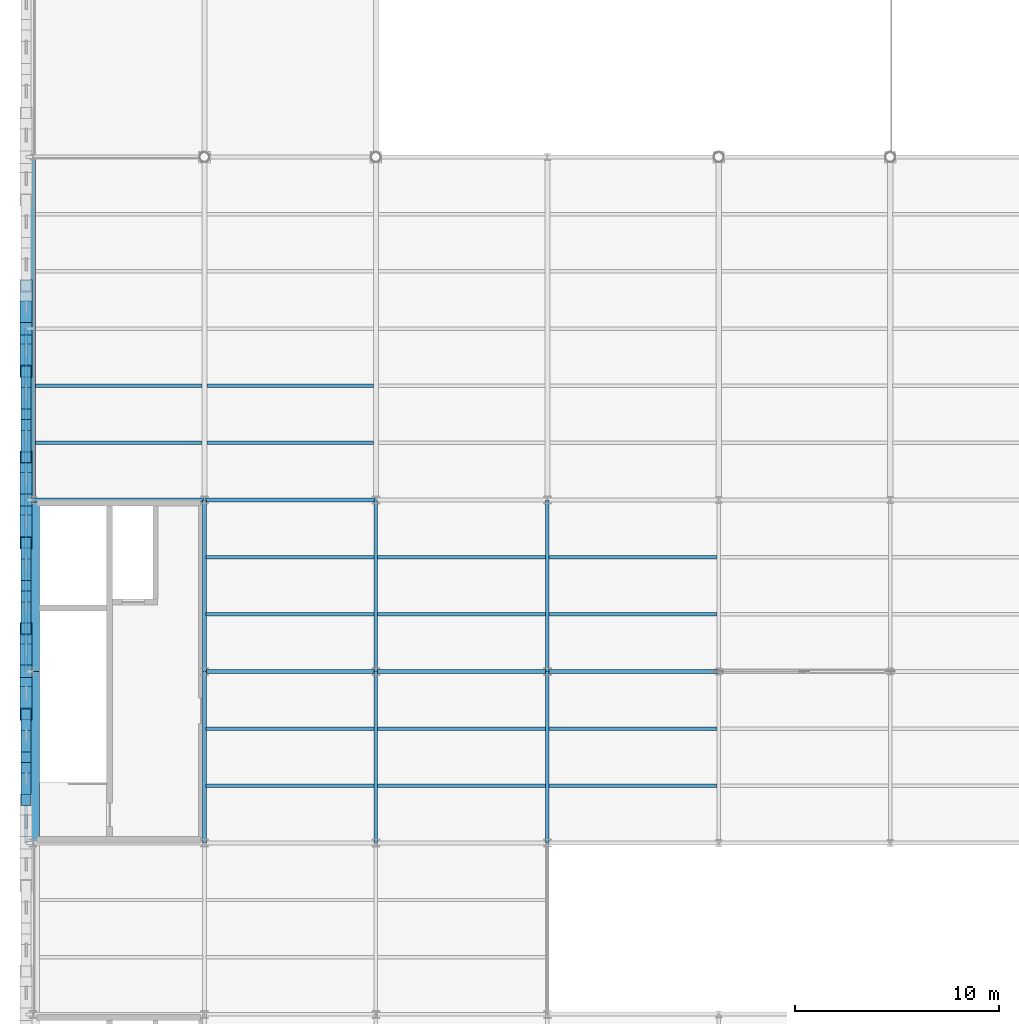
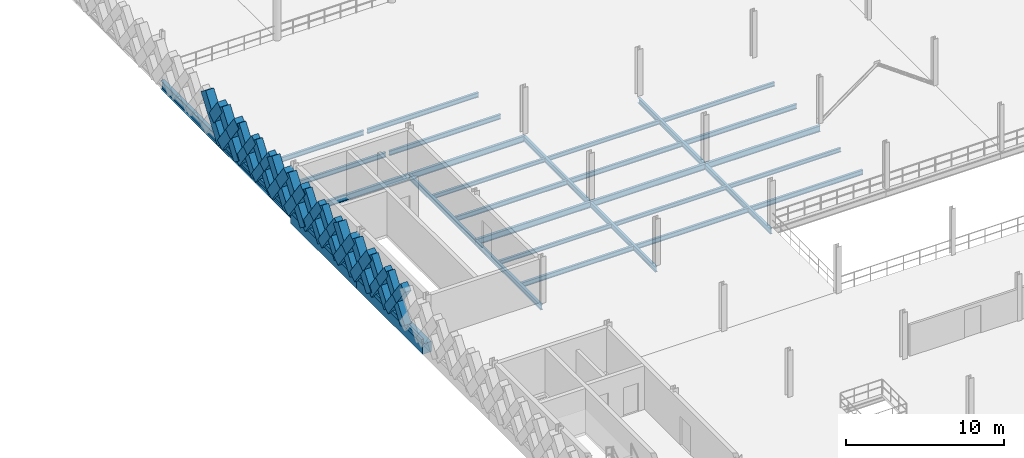
# One storey, part 21 of 47: 38 members, 30 beams.
"""IFC4 building model written with IfcOpenShell, lengths in metres."""

import ifcopenshell
import ifcopenshell.guid

model = None  # the IFC model being written
_history = None  # IfcOwnerHistory: only IFC2X3 demands one
_inside = {}  # id of a spatial element -> (the spatial element, [elements in it])
_under = {}  # id of a project, library or spatial element -> (it, [spatial elements below it])
_declared = {}  # id of a project -> (the project, [libraries it declares])
_typed = {}  # id of a type object -> (the type object, [elements of that type])
_made_of = {}  # id of a material, layer set ... -> (it, [elements and type objects made of it])


def new_model(schema):
    """Start an empty IFC model of exactly this schema.

    Asked for "IFC4X3", IfcOpenShell would pick the latest addendum, in which some entities
    have other attributes; the version numbers below select the first issue.
    IFC2X3 requires an IfcOwnerHistory on every rooted entity: one is made here for all.
    """
    global model, _history
    if schema == "IFC4X3":
        model = ifcopenshell.file(schema_version=(4, 3, 0, 0))
    else:
        model = ifcopenshell.file(schema=schema)
    _inside.clear()
    _under.clear()
    _declared.clear()
    _typed.clear()
    _made_of.clear()
    _history = None
    if model.schema == "IFC2X3":
        org = make("IfcOrganization", Name="unknown")
        user = make(
            "IfcPersonAndOrganization",
            ThePerson=make("IfcPerson", FamilyName="unknown"),
            TheOrganization=org,
        )
        app = make(
            "IfcApplication",
            ApplicationDeveloper=org,
            Version="unknown",
            ApplicationFullName="unknown",
            ApplicationIdentifier="unknown",
        )
        _history = make(
            "IfcOwnerHistory",
            OwningUser=user,
            OwningApplication=app,
            ChangeAction="ADDED",
            CreationDate=0,
        )
    return model


def make(cls, **values):
    """One entity of the class cls with the attributes given. An attribute that is None is left unset."""
    return model.create_entity(
        cls, **{name: value for name, value in values.items() if value is not None}
    )


def rooted(cls, **values):
    """An entity with a GlobalId (a new one), such as an element, a storey or a relation."""
    return make(cls, GlobalId=ifcopenshell.guid.new(), OwnerHistory=_history, **values)


def si_unit(unit_type, name, prefix=None):
    """IfcSIUnit, for example si_unit("LENGTHUNIT", "METRE", prefix="MILLI")."""
    return make("IfcSIUnit", UnitType=unit_type, Prefix=prefix, Name=name)


def assignment(units):
    """IfcUnitAssignment: the units of a project."""
    return None if units is None else make("IfcUnitAssignment", Units=units)


def point(xyz):
    """IfcCartesianPoint."""
    return None if xyz is None else make("IfcCartesianPoint", Coordinates=xyz)


def direction(xyz):
    """IfcDirection."""
    return None if xyz is None else make("IfcDirection", DirectionRatios=xyz)


def frame(location, z_axis=None, x_axis=None):
    """IfcAxis2Placement3D, a coordinate frame: its origin and axes. An axis left out is left unset."""
    return make(
        "IfcAxis2Placement3D",
        Location=point(location),
        Axis=direction(z_axis),
        RefDirection=direction(x_axis),
    )


def frame_2d(location, x_axis=None):
    """IfcAxis2Placement2D, a coordinate frame in the plane: its origin and x axis."""
    return make(
        "IfcAxis2Placement2D", Location=point(location), RefDirection=direction(x_axis)
    )


def origin():
    """The frame at (0, 0, 0) with its axes left unset."""
    return frame((0.0, 0.0, 0.0))


def origin_2d():
    """The frame at (0, 0) in the plane with its x axis left unset."""
    return frame_2d((0.0, 0.0))


def place(relative_to, where):
    """IfcLocalPlacement: puts the frame where relative to a parent placement (None: the world)."""
    return make(
        "IfcLocalPlacement", PlacementRelTo=relative_to, RelativePlacement=where
    )


def context(
    kind, dimensions, precision=None, world=None, true_north=None, identifier=None
):
    """IfcGeometricRepresentationContext, for example the 3D "Model" context."""
    return make(
        "IfcGeometricRepresentationContext",
        ContextIdentifier=identifier,
        ContextType=kind,
        CoordinateSpaceDimension=dimensions,
        Precision=precision,
        WorldCoordinateSystem=world,
        TrueNorth=true_north,
    )


def subcontext(parent, identifier, kind, view, scale=None):
    """IfcGeometricRepresentationSubContext, for example "Body" below "Model"."""
    return make(
        "IfcGeometricRepresentationSubContext",
        ContextIdentifier=identifier,
        ContextType=kind,
        ParentContext=parent,
        TargetScale=scale,
        TargetView=view,
    )


def project(units=None, contexts=None):
    """IfcProject with its units and contexts."""
    return rooted(
        "IfcProject",
        Name="project",
        RepresentationContexts=contexts,
        UnitsInContext=assignment(units),
    )


def spatial(cls, under=None, at=None, **own):
    """A site, building, storey or space (cls), placed at a placement, below another one or the project."""
    s = rooted(cls, ObjectPlacement=at, **own)
    if under is not None:
        _under.setdefault(under.id(), (under, []))[1].append(s)
    return s


def profile(cls, at=None, kind="AREA", **sizes):
    """A parametric profile (cls). Its sizes go by their IFC names, for example OverallWidth=200.0."""
    return make(cls, ProfileType=kind, Position=at, **sizes)


def rectangle(**sizes):
    """IfcRectangleProfileDef."""
    return profile("IfcRectangleProfileDef", **sizes)


def hollow_rectangle(**sizes):
    """IfcRectangleHollowProfileDef."""
    return profile("IfcRectangleHollowProfileDef", **sizes)


def i_section(**sizes):
    """IfcIShapeProfileDef."""
    return profile("IfcIShapeProfileDef", **sizes)


def extrude(swept, where, along, depth):
    """IfcExtrudedAreaSolid: the profile swept, set in the frame where, extruded along a direction by depth."""
    return make(
        "IfcExtrudedAreaSolid",
        SweptArea=swept,
        Position=where,
        ExtrudedDirection=direction(along),
        Depth=depth,
    )


def shape(context_of_items, identifier, shape_type, items):
    """IfcShapeRepresentation: the items that make up one representation, for example the "Body"."""
    return make(
        "IfcShapeRepresentation",
        ContextOfItems=context_of_items,
        RepresentationIdentifier=identifier,
        RepresentationType=shape_type,
        Items=items,
    )


def material(Name=None, Category=None):
    """IfcMaterial."""
    return make("IfcMaterial", Name=Name, Category=Category)


def material_profile(
    of_material, cross_section, Name=None, Category=None, Priority=None
):
    """IfcMaterialProfile: a cross section and its material."""
    return make(
        "IfcMaterialProfile",
        Name=Name,
        Material=of_material,
        Profile=cross_section,
        Priority=Priority,
        Category=Category,
    )


def profile_set(profiles, Name=None, composite=None):
    """IfcMaterialProfileSet."""
    return make(
        "IfcMaterialProfileSet",
        Name=Name,
        MaterialProfiles=profiles,
        CompositeProfile=composite,
    )


def made_of(thing, what):
    """Note that an element or type object is made of a material, layer set ...; save() writes the relation."""
    if what is not None:
        _made_of.setdefault(what.id(), (what, []))[1].append(thing)
    return thing


def type_object(cls, material=None, **own):
    """A type object (cls), such as IfcWallType, which elements share."""
    return made_of(rooted(cls, **own), material)


def element(
    cls,
    number,
    at=None,
    inside=None,
    cuts=None,
    type_object=None,
    material=None,
    context=None,
    identifier="Body",
    shape_type=None,
    held_by="IfcProductDefinitionShape",
    body=None,
    shapes=None,
    **own,
):
    """One element of the class cls, such as IfcWall. Its Tag is "e" and its number.

    at: its placement. inside: the storey or other place that contains it. cuts: it is an
    opening in that element (IfcRelVoidsElement). A single representation is given by context,
    identifier, shape_type and body (its items); several are given by shapes. held_by: the class
    of the entity that holds the representations. save() writes the other relations.
    """
    e = rooted(cls, Tag="e%d" % number, ObjectPlacement=at, **own)
    if body is not None:
        shapes = [shape(context, identifier, shape_type, body)]
    if shapes is not None:
        e.Representation = make(held_by, Representations=shapes)
    if inside is not None:
        _inside.setdefault(inside.id(), (inside, []))[1].append(e)
    if cuts is not None:
        rooted(
            "IfcRelVoidsElement", RelatingBuildingElement=cuts, RelatedOpeningElement=e
        )
    if type_object is not None:
        _typed.setdefault(type_object.id(), (type_object, []))[1].append(e)
    return made_of(e, material)


def aggregate(whole, parts):
    """IfcRelAggregates: a whole, such as a stair, and the parts it consists of."""
    return rooted("IfcRelAggregates", RelatingObject=whole, RelatedObjects=parts)


def save(model, path):
    """Write the relations noted so far, then the file.

    IfcRelAggregates (storeys below a building ...), IfcRelContainedInSpatialStructure (elements
    in a storey), IfcRelDefinesByType, IfcRelAssociatesMaterial and IfcRelDeclares: one each for
    every whole, place, type object, material and project.
    """
    for whole, parts in _under.values():
        aggregate(whole, parts)
    for where, things in _inside.values():
        rooted(
            "IfcRelContainedInSpatialStructure",
            RelatedElements=things,
            RelatingStructure=where,
        )
    for kind, things in _typed.values():
        rooted("IfcRelDefinesByType", RelatedObjects=things, RelatingType=kind)
    for what, things in _made_of.values():
        rooted("IfcRelAssociatesMaterial", RelatedObjects=things, RelatingMaterial=what)
    for by, libraries in _declared.values():
        rooted("IfcRelDeclares", RelatingContext=by, RelatedDefinitions=libraries)
    model.write(path)


model = new_model("IFC4")

# Units and contexts
model_context = context("Model", 3, precision=1e-05, world=origin(), true_north=direction((0.0, 1.0)))
body_context = subcontext(model_context, "Body", "Model", "MODEL_VIEW")
ifc_project = project(units=[si_unit("LENGTHUNIT", "METRE"), si_unit("AREAUNIT", "SQUARE_METRE"), si_unit("VOLUMEUNIT", "CUBIC_METRE"), si_unit("PLANEANGLEUNIT", "RADIAN"), si_unit("MASSUNIT", "GRAM", prefix="KILO"), si_unit("THERMODYNAMICTEMPERATUREUNIT", "KELVIN"), si_unit("POWERUNIT", "WATT")], contexts=[model_context])

# Site, building, storey
site_placement = place(None, origin())
site = spatial("IfcSite", under=ifc_project, at=site_placement, CompositionType="ELEMENT")
building_placement = place(site_placement, origin())
building = spatial("IfcBuilding", under=site, at=building_placement, Name="Tembeka Court Mobility Hub", CompositionType="ELEMENT")
storey_placement = place(building_placement, frame((0.0, 0.0, 19.800048828125)))
storey = spatial("IfcBuildingStorey", under=building, at=storey_placement, Name="L05", CompositionType="ELEMENT", Elevation=19.800048828125)

# Beams
ifc_material_1 = material(Name="Steel S355", Category="steel")
ifc_material_profile_1 = material_profile(ifc_material_1, i_section(OverallWidth=0.18994140625, OverallDepth=0.45703125, WebThickness=0.009033203125, FlangeThickness=0.014404296875, FilletRadius=0.01025390625, at=origin_2d()), Name="UKB 457x191x74")
ifc_profile_set_1 = profile_set([ifc_material_profile_1], Name="Steel S355")
beam_type_1 = type_object("IfcBeamType", Name="BM-B01", PredefinedType="BEAM", material=ifc_profile_set_1)
beam_1_placement = place(storey_placement, frame((8.39990234375, 72.0, -0.448486328125), z_axis=(1.0, 0.0, 0.0), x_axis=(0.0, 1.0, 0.0)))
element("IfcBeam", 1, at=beam_1_placement, inside=storey, type_object=beam_type_1, Name="Beam B01 (BM-L05-X2733)", PredefinedType="BEAM", context=body_context, shape_type="SweptSolid", body=[
    extrude(i_section(OverallWidth=0.18994140625, OverallDepth=0.45703125, WebThickness=0.009033203125, FlangeThickness=0.014404296875, FilletRadius=0.01025390625, at=origin_2d()), origin(), (0.0, 0.0, 1.0), 8.400146484375),
])
beam_2_placement = place(storey_placement, frame((16.800048828125, 72.0, -0.448486328125), z_axis=(1.0, 0.0, 0.0), x_axis=(0.0, 1.0, 0.0)))
element("IfcBeam", 2, at=beam_2_placement, inside=storey, type_object=beam_type_1, Name="Beam B01 (BM-L05-X2734)", PredefinedType="BEAM", context=body_context, shape_type="SweptSolid", body=[
    extrude(i_section(OverallWidth=0.18994140625, OverallDepth=0.45703125, WebThickness=0.009033203125, FlangeThickness=0.014404296875, FilletRadius=0.01025390625, at=origin_2d()), origin(), (0.0, 0.0, 1.0), 8.39990234375),
])
beam_3_placement = place(storey_placement, frame((25.199951171875, 72.0, -0.448486328125), z_axis=(1.0, 0.0, 0.0), x_axis=(0.0, 1.0, 0.0)))
element("IfcBeam", 3, at=beam_3_placement, inside=storey, type_object=beam_type_1, Name="Beam B01 (BM-L05-X2735)", PredefinedType="BEAM", context=body_context, shape_type="SweptSolid", body=[
    extrude(i_section(OverallWidth=0.18994140625, OverallDepth=0.45703125, WebThickness=0.009033203125, FlangeThickness=0.014404296875, FilletRadius=0.01025390625, at=origin_2d()), origin(), (0.0, 0.0, 1.0), 8.400146484375),
])
beam_4_placement = place(storey_placement, frame((0.0, 80.39990234375, -0.448486328125), z_axis=(1.0, 0.0, 0.0), x_axis=(0.0, 1.0, 0.0)))
element("IfcBeam", 4, at=beam_4_placement, inside=storey, type_object=beam_type_1, Name="Beam B01 (BM-L05-X2742)", PredefinedType="BEAM", context=body_context, shape_type="SweptSolid", body=[
    extrude(i_section(OverallWidth=0.18994140625, OverallDepth=0.45703125, WebThickness=0.009033203125, FlangeThickness=0.014404296875, FilletRadius=0.01025390625, at=origin_2d()), origin(), (0.0, 0.0, 1.0), 8.39990234375),
])
beam_5_placement = place(storey_placement, frame((8.39990234375, 80.39990234375, -0.448486328125), z_axis=(1.0, 0.0, 0.0), x_axis=(0.0, 1.0, 0.0)))
element("IfcBeam", 5, at=beam_5_placement, inside=storey, type_object=beam_type_1, Name="Beam B01 (BM-L05-X2743)", PredefinedType="BEAM", context=body_context, shape_type="SweptSolid", body=[
    extrude(i_section(OverallWidth=0.18994140625, OverallDepth=0.45703125, WebThickness=0.009033203125, FlangeThickness=0.014404296875, FilletRadius=0.01025390625, at=origin_2d()), origin(), (0.0, 0.0, 1.0), 8.400146484375),
])
ifc_material_profile_2 = material_profile(ifc_material_1, i_section(OverallWidth=0.177978515625, OverallDepth=0.406005859375, WebThickness=0.0078125, FlangeThickness=0.0126953125, FilletRadius=0.01025390625, at=origin_2d()), Name="UKB 406x178x60")
ifc_profile_set_2 = profile_set([ifc_material_profile_2], Name="Steel S355")
beam_type_2 = type_object("IfcBeamType", Name="BM-B02", PredefinedType="BEAM", material=ifc_profile_set_2)
for number, where, z_axis, x_axis, name in (
    (6, (8.39990234375, 63.60009765625, -0.423095703125), (0.0, 1.0, 0.0), (-1.0, 0.0, 0.0), "Beam B02 (BM-L05-Y2793)"),
    (7, (8.39990234375, 72.0, -0.423095703125), (0.0, 1.0, 0.0), (-1.0, 0.0, 0.0), "Beam B02 (BM-L05-Y2794)"),
    (8, (16.800048828125, 63.60009765625, -0.423095703125), (0.0, 1.0, 0.0), (-1.0, 0.0, 0.0), "Beam B02 (BM-L05-Y2804)"),
    (9, (16.800048828125, 72.0, -0.423095703125), (0.0, 1.0, 0.0), (-1.0, 0.0, 0.0), "Beam B02 (BM-L05-Y2805)"),
    (10, (25.199951171875, 63.60009765625, -0.423095703125), (0.0, 1.0, 0.0), (-1.0, 0.0, 0.0), "Beam B02 (BM-L05-Y2813)"),
    (11, (25.199951171875, 72.0, -0.423095703125), (0.0, 1.0, 0.0), (-1.0, 0.0, 0.0), "Beam B02 (BM-L05-Y2814)"),
):
    element("IfcBeam", number, at=place(storey_placement, frame(where, z_axis=z_axis, x_axis=x_axis)), inside=storey, type_object=beam_type_2, Name=name, PredefinedType="BEAM", context=body_context, shape_type="SweptSolid", body=[
        extrude(i_section(OverallWidth=0.177978515625, OverallDepth=0.406005859375, WebThickness=0.0078125, FlangeThickness=0.0126953125, FilletRadius=0.01025390625, at=origin_2d()), origin(), (0.0, 0.0, 1.0), 8.39990234375),
    ])
ifc_material_profile_3 = material_profile(ifc_material_1, i_section(OverallWidth=0.25390625, OverallDepth=0.68408203125, WebThickness=0.012451171875, FlangeThickness=0.01904296875, FilletRadius=0.01513671875, at=origin_2d()), Name="UKB 686x254x140")
ifc_profile_set_3 = profile_set([ifc_material_profile_3], Name="Steel S355")
beam_type_3 = type_object("IfcBeamType", Name="BM-G01", PredefinedType="USERDEFINED", material=ifc_profile_set_3)
beam_6_placement = place(storey_placement, frame((0.0, 80.39990234375, -0.56201171875), z_axis=(0.0, 1.0, 0.0), x_axis=(-1.0, 0.0, 0.0)))
element("IfcBeam", 12, at=beam_6_placement, inside=storey, type_object=beam_type_3, Name="Beam G01 (BM-L05-Y2784)", ObjectType="GIRDER", PredefinedType="USERDEFINED", context=body_context, shape_type="SweptSolid", body=[
    extrude(i_section(OverallWidth=0.25390625, OverallDepth=0.68408203125, WebThickness=0.012451171875, FlangeThickness=0.01904296875, FilletRadius=0.01513671875, at=origin_2d()), origin(), (0.0, 0.0, 1.0), 16.800048828125),
])
ifc_material_profile_4 = material_profile(ifc_material_1, i_section(OverallWidth=0.172119140625, OverallDepth=0.35498046875, WebThickness=0.00732421875, FlangeThickness=0.011474609375, FilletRadius=0.01025390625, at=origin_2d()), Name="UKB 356x171x51")
ifc_profile_set_4 = profile_set([ifc_material_profile_4], Name="Steel S355")
beam_type_4 = type_object("IfcBeamType", Name="BM-J01", PredefinedType="JOIST", material=ifc_profile_set_4)
for number, where, z_axis, x_axis, name in (
    (13, (0.1220703125, 83.199951171875, -0.3974609375), (1.0, 0.0, 0.0), (0.0, 1.0, 0.0), "Beam J01 (JST-L05-2888)"),
    (14, (0.1220703125, 86.0, -0.3974609375), (1.0, 0.0, 0.0), (0.0, 1.0, 0.0), "Beam J01 (JST-L05-2889)"),
    (15, (8.52197265625, 83.199951171875, -0.3974609375), (1.0, 0.0, 0.0), (0.0, 1.0, 0.0), "Beam J01 (JST-L05-2908)"),
    (16, (8.52197265625, 86.0, -0.3974609375), (1.0, 0.0, 0.0), (0.0, 1.0, 0.0), "Beam J01 (JST-L05-2909)"),
):
    element("IfcBeam", number, at=place(storey_placement, frame(where, z_axis=z_axis, x_axis=x_axis)), inside=storey, type_object=beam_type_4, Name=name, PredefinedType="JOIST", context=body_context, shape_type="SweptSolid", body=[
        extrude(i_section(OverallWidth=0.172119140625, OverallDepth=0.35498046875, WebThickness=0.00732421875, FlangeThickness=0.011474609375, FilletRadius=0.01025390625, at=origin_2d()), origin(), (0.0, 0.0, 1.0), 8.156005859375),
    ])
ifc_material_profile_5 = material_profile(ifc_material_1, i_section(OverallWidth=0.1650390625, OverallDepth=0.303955078125, WebThickness=0.006103515625, FlangeThickness=0.01025390625, FilletRadius=0.0087890625, at=origin_2d()), Name="UKB 305x165x40")
ifc_profile_set_5 = profile_set([ifc_material_profile_5], Name="Steel S355")
beam_type_5 = type_object("IfcBeamType", Name="BM-J02", PredefinedType="JOIST", material=ifc_profile_set_5)
for number, where, z_axis, x_axis, name in (
    (17, (8.48388671875, 69.199951171875, -0.3720703125), (1.0, 0.0, 0.0), (0.0, 1.0, 0.0), "Beam J02 (JST-L05-2905)"),
    (18, (8.48388671875, 77.60009765625, -0.3720703125), (1.0, 0.0, 0.0), (0.0, 1.0, 0.0), "Beam J02 (JST-L05-2907)"),
):
    element("IfcBeam", number, at=place(storey_placement, frame(where, z_axis=z_axis, x_axis=x_axis)), inside=storey, type_object=beam_type_5, Name=name, PredefinedType="JOIST", context=body_context, shape_type="SweptSolid", body=[
        extrude(i_section(OverallWidth=0.1650390625, OverallDepth=0.303955078125, WebThickness=0.006103515625, FlangeThickness=0.01025390625, FilletRadius=0.0087890625, at=origin_2d()), origin(), (0.0, 0.0, 1.0), 8.232177734375),
    ])
for number, where, z_axis, x_axis, name in (
    (19, (16.884033203125, 69.199951171875, -0.3720703125), (1.0, 0.0, 0.0), (0.0, 1.0, 0.0), "Beam J02 (JST-L05-2925)"),
    (20, (16.884033203125, 77.60009765625, -0.3720703125), (1.0, 0.0, 0.0), (0.0, 1.0, 0.0), "Beam J02 (JST-L05-2927)"),
):
    element("IfcBeam", number, at=place(storey_placement, frame(where, z_axis=z_axis, x_axis=x_axis)), inside=storey, type_object=beam_type_5, Name=name, PredefinedType="JOIST", context=body_context, shape_type="SweptSolid", body=[
        extrude(i_section(OverallWidth=0.1650390625, OverallDepth=0.303955078125, WebThickness=0.006103515625, FlangeThickness=0.01025390625, FilletRadius=0.0087890625, at=origin_2d()), origin(), (0.0, 0.0, 1.0), 8.23193359375),
    ])
for number, where, z_axis, x_axis, name in (
    (21, (25.283935546875, 69.199951171875, -0.3720703125), (1.0, 0.0, 0.0), (0.0, 1.0, 0.0), "Beam J02 (JST-L05-2943)"),
    (22, (25.283935546875, 77.60009765625, -0.3720703125), (1.0, 0.0, 0.0), (0.0, 1.0, 0.0), "Beam J02 (JST-L05-2945)"),
):
    element("IfcBeam", number, at=place(storey_placement, frame(where, z_axis=z_axis, x_axis=x_axis)), inside=storey, type_object=beam_type_5, Name=name, PredefinedType="JOIST", context=body_context, shape_type="SweptSolid", body=[
        extrude(i_section(OverallWidth=0.1650390625, OverallDepth=0.303955078125, WebThickness=0.006103515625, FlangeThickness=0.01025390625, FilletRadius=0.0087890625, at=origin_2d()), origin(), (0.0, 0.0, 1.0), 8.232177734375),
    ])
ifc_material_profile_6 = material_profile(ifc_material_1, i_section(OverallWidth=0.169921875, OverallDepth=0.360107421875, WebThickness=0.008056640625, FlangeThickness=0.0126953125, FilletRadius=0.01806640625, at=origin_2d()), Name="IPE 360")
ifc_profile_set_6 = profile_set([ifc_material_profile_6], Name="Steel S355")
beam_type_6 = type_object("IfcBeamType", Name="BM-J03", PredefinedType="JOIST", material=ifc_profile_set_6)
for number, where, z_axis, x_axis, name in (
    (23, (8.48388671875, 66.39990234375, -0.400146484375), (1.0, 0.0, 0.0), (0.0, 1.0, 0.0), "Beam J03 (JST-L05-2904)"),
    (24, (8.48388671875, 74.800048828125, -0.400146484375), (1.0, 0.0, 0.0), (0.0, 1.0, 0.0), "Beam J03 (JST-L05-2906)"),
):
    element("IfcBeam", number, at=place(storey_placement, frame(where, z_axis=z_axis, x_axis=x_axis)), inside=storey, type_object=beam_type_6, Name=name, PredefinedType="JOIST", context=body_context, shape_type="SweptSolid", body=[
        extrude(i_section(OverallWidth=0.169921875, OverallDepth=0.360107421875, WebThickness=0.008056640625, FlangeThickness=0.0126953125, FilletRadius=0.01806640625, at=origin_2d()), origin(), (0.0, 0.0, 1.0), 8.232177734375),
    ])
for number, where, z_axis, x_axis, name in (
    (25, (16.884033203125, 66.39990234375, -0.400146484375), (1.0, 0.0, 0.0), (0.0, 1.0, 0.0), "Beam J03 (JST-L05-2924)"),
    (26, (16.884033203125, 74.800048828125, -0.400146484375), (1.0, 0.0, 0.0), (0.0, 1.0, 0.0), "Beam J03 (JST-L05-2926)"),
):
    element("IfcBeam", number, at=place(storey_placement, frame(where, z_axis=z_axis, x_axis=x_axis)), inside=storey, type_object=beam_type_6, Name=name, PredefinedType="JOIST", context=body_context, shape_type="SweptSolid", body=[
        extrude(i_section(OverallWidth=0.169921875, OverallDepth=0.360107421875, WebThickness=0.008056640625, FlangeThickness=0.0126953125, FilletRadius=0.01806640625, at=origin_2d()), origin(), (0.0, 0.0, 1.0), 8.23193359375),
    ])
for number, where, z_axis, x_axis, name in (
    (27, (25.283935546875, 66.39990234375, -0.400146484375), (1.0, 0.0, 0.0), (0.0, 1.0, 0.0), "Beam J03 (JST-L05-2942)"),
    (28, (25.283935546875, 74.800048828125, -0.400146484375), (1.0, 0.0, 0.0), (0.0, 1.0, 0.0), "Beam J03 (JST-L05-2944)"),
):
    element("IfcBeam", number, at=place(storey_placement, frame(where, z_axis=z_axis, x_axis=x_axis)), inside=storey, type_object=beam_type_6, Name=name, PredefinedType="JOIST", context=body_context, shape_type="SweptSolid", body=[
        extrude(i_section(OverallWidth=0.169921875, OverallDepth=0.360107421875, WebThickness=0.008056640625, FlangeThickness=0.0126953125, FilletRadius=0.01806640625, at=origin_2d()), origin(), (0.0, 0.0, 1.0), 8.232177734375),
    ])
ifc_material_2 = material(Name="Precast concrete C45/55", Category="concrete")
ifc_material_profile_7 = material_profile(ifc_material_2, rectangle(XDim=0.64990234375, YDim=0.800048828125, at=origin_2d()), Name="PC-SP 650x800")
ifc_profile_set_7 = profile_set([ifc_material_profile_7], Name="Precast concrete C45/55")
beam_type_7 = type_object("IfcBeamType", Name="BM-SP01", PredefinedType="SPANDREL", material=ifc_profile_set_7)
for number, where, z_axis, x_axis, name in (
    (29, (0.0, 63.60009765625, -0.6201171875), (0.0, 1.0, 0.0), (-1.0, 0.0, 0.0), "Beam SP01 (BM-L05-Y2782)"),
    (30, (0.0, 72.0, -0.6201171875), (0.0, 1.0, 0.0), (-1.0, 0.0, 0.0), "Beam SP01 (BM-L05-Y2783)"),
):
    element("IfcBeam", number, at=place(storey_placement, frame(where, z_axis=z_axis, x_axis=x_axis)), inside=storey, type_object=beam_type_7, Name=name, PredefinedType="SPANDREL", context=body_context, shape_type="SweptSolid", body=[
        extrude(rectangle(XDim=0.64990234375, YDim=0.800048828125, at=origin_2d()), origin(), (0.0, 0.0, 1.0), 8.39990234375),
    ])

# Members
ifc_material_profile_8 = material_profile(ifc_material_2, rectangle(XDim=0.5, YDim=0.64990234375, at=origin_2d()), Name="PC-DIAG 500x650")
ifc_profile_set_8 = profile_set([ifc_material_profile_8], Name="Precast concrete C45/55")
member_type_1 = type_object("IfcMemberType", Name="MEM-DL01", PredefinedType="BRACE", material=ifc_profile_set_8)
member_1_placement = place(storey_placement, frame((-0.340087890625, 65.699951171875, 0.02001953125), z_axis=(0.0, 0.582576362011, 0.812775973086), x_axis=(-1.0, 0.0, 0.0)))
element("IfcMember", 31, at=member_1_placement, inside=storey, type_object=member_type_1, Name="Precast diamond lattice continuous strand DL01 (L05-908C)", PredefinedType="BRACE", context=body_context, shape_type="SweptSolid", body=[
    extrude(rectangle(XDim=0.5, YDim=0.64990234375, at=origin_2d()), origin(), (0.0, 0.0, 1.0), 3.604736328125),
])
member_2_placement = place(storey_placement, frame((-0.340087890625, 67.800048828125, 0.02001953125), z_axis=(0.0, -0.582608431711, 0.812752985414), x_axis=(1.0, 0.0, 0.0)))
element("IfcMember", 32, at=member_2_placement, inside=storey, type_object=member_type_1, Name="Precast diamond lattice split lower strand DL01 (L05-908D1)", PredefinedType="BRACE", context=body_context, shape_type="SweptSolid", body=[
    extrude(rectangle(XDim=0.5, YDim=0.64990234375, at=origin_2d()), origin(), (0.0, 0.0, 1.0), 1.80224609375),
])
member_3_placement = place(storey_placement, frame((-0.340087890625, 66.75, 1.48486328125), z_axis=(0.0, -0.582544294934, 0.812798956963), x_axis=(1.0, 0.0, 0.0)))
element("IfcMember", 33, at=member_3_placement, inside=storey, type_object=member_type_1, Name="Precast diamond lattice split upper strand DL01 (L05-908D2)", PredefinedType="BRACE", context=body_context, shape_type="SweptSolid", body=[
    extrude(rectangle(XDim=0.5, YDim=0.64990234375, at=origin_2d()), origin(), (0.0, 0.0, 1.0), 1.802490234375),
])
member_4_placement = place(storey_placement, frame((-0.340087890625, 67.800048828125, 0.02001953125), z_axis=(0.0, 0.58253161945, 0.812808041509), x_axis=(-1.0, 0.0, 0.0)))
element("IfcMember", 34, at=member_4_placement, inside=storey, type_object=member_type_1, Name="Precast diamond lattice continuous strand DL01 (L05-909C)", PredefinedType="BRACE", context=body_context, shape_type="SweptSolid", body=[
    extrude(rectangle(XDim=0.5, YDim=0.64990234375, at=origin_2d()), origin(), (0.0, 0.0, 1.0), 3.604736328125),
])
member_5_placement = place(storey_placement, frame((-0.340087890625, 69.89990234375, 0.02001953125), z_axis=(0.0, -0.582518941428, 0.812817127574), x_axis=(1.0, 0.0, 0.0)))
element("IfcMember", 35, at=member_5_placement, inside=storey, type_object=member_type_1, Name="Precast diamond lattice split lower strand DL01 (L05-909D1)", PredefinedType="BRACE", context=body_context, shape_type="SweptSolid", body=[
    extrude(rectangle(XDim=0.5, YDim=0.64990234375, at=origin_2d()), origin(), (0.0, 0.0, 1.0), 1.80224609375),
])
member_6_placement = place(storey_placement, frame((-0.340087890625, 68.85009765625, 1.48486328125), z_axis=(0.0, -0.582544294934, 0.812798956963), x_axis=(1.0, 0.0, 0.0)))
element("IfcMember", 36, at=member_6_placement, inside=storey, type_object=member_type_1, Name="Precast diamond lattice split upper strand DL01 (L05-909D2)", PredefinedType="BRACE", context=body_context, shape_type="SweptSolid", body=[
    extrude(rectangle(XDim=0.5, YDim=0.64990234375, at=origin_2d()), origin(), (0.0, 0.0, 1.0), 1.802490234375),
])
member_7_placement = place(storey_placement, frame((-0.340087890625, 74.10009765625, 0.02001953125), z_axis=(0.0, 0.58253161945, 0.812808041509), x_axis=(-1.0, 0.0, 0.0)))
element("IfcMember", 37, at=member_7_placement, inside=storey, type_object=member_type_1, Name="Precast diamond lattice continuous strand DL01 (L05-912C)", PredefinedType="BRACE", context=body_context, shape_type="SweptSolid", body=[
    extrude(rectangle(XDim=0.5, YDim=0.64990234375, at=origin_2d()), origin(), (0.0, 0.0, 1.0), 3.604736328125),
])
member_8_placement = place(storey_placement, frame((-0.340087890625, 76.199951171875, 0.02001953125), z_axis=(0.0, -0.582608431711, 0.812752985414), x_axis=(1.0, 0.0, 0.0)))
element("IfcMember", 38, at=member_8_placement, inside=storey, type_object=member_type_1, Name="Precast diamond lattice split lower strand DL01 (L05-912D1)", PredefinedType="BRACE", context=body_context, shape_type="SweptSolid", body=[
    extrude(rectangle(XDim=0.5, YDim=0.64990234375, at=origin_2d()), origin(), (0.0, 0.0, 1.0), 1.80224609375),
])
member_9_placement = place(storey_placement, frame((-0.340087890625, 75.14990234375, 1.48486328125), z_axis=(0.0, -0.582454804382, 0.812863088627), x_axis=(1.0, 0.0, 0.0)))
element("IfcMember", 39, at=member_9_placement, inside=storey, type_object=member_type_1, Name="Precast diamond lattice split upper strand DL01 (L05-912D2)", PredefinedType="BRACE", context=body_context, shape_type="SweptSolid", body=[
    extrude(rectangle(XDim=0.5, YDim=0.64990234375, at=origin_2d()), origin(), (0.0, 0.0, 1.0), 1.802490234375),
])
member_10_placement = place(storey_placement, frame((-0.340087890625, 76.199951171875, 0.02001953125), z_axis=(0.0, 0.582576362011, 0.812775973086), x_axis=(-1.0, 0.0, 0.0)))
element("IfcMember", 40, at=member_10_placement, inside=storey, type_object=member_type_1, Name="Precast diamond lattice continuous strand DL01 (L05-913C)", PredefinedType="BRACE", context=body_context, shape_type="SweptSolid", body=[
    extrude(rectangle(XDim=0.5, YDim=0.64990234375, at=origin_2d()), origin(), (0.0, 0.0, 1.0), 3.604736328125),
])
member_11_placement = place(storey_placement, frame((-0.340087890625, 78.300048828125, 0.02001953125), z_axis=(0.0, -0.582608431711, 0.812752985414), x_axis=(1.0, 0.0, 0.0)))
element("IfcMember", 41, at=member_11_placement, inside=storey, type_object=member_type_1, Name="Precast diamond lattice split lower strand DL01 (L05-913D1)", PredefinedType="BRACE", context=body_context, shape_type="SweptSolid", body=[
    extrude(rectangle(XDim=0.5, YDim=0.64990234375, at=origin_2d()), origin(), (0.0, 0.0, 1.0), 1.80224609375),
])
member_12_placement = place(storey_placement, frame((-0.340087890625, 77.25, 1.48486328125), z_axis=(0.0, -0.582544294934, 0.812798956963), x_axis=(1.0, 0.0, 0.0)))
element("IfcMember", 42, at=member_12_placement, inside=storey, type_object=member_type_1, Name="Precast diamond lattice split upper strand DL01 (L05-913D2)", PredefinedType="BRACE", context=body_context, shape_type="SweptSolid", body=[
    extrude(rectangle(XDim=0.5, YDim=0.64990234375, at=origin_2d()), origin(), (0.0, 0.0, 1.0), 1.802490234375),
])
member_13_placement = place(storey_placement, frame((-0.340087890625, 82.5, 0.02001953125), z_axis=(0.0, 0.582576362011, 0.812775973086), x_axis=(-1.0, 0.0, 0.0)))
element("IfcMember", 43, at=member_13_placement, inside=storey, type_object=member_type_1, Name="Precast diamond lattice continuous strand DL01 (L05-916C)", PredefinedType="BRACE", context=body_context, shape_type="SweptSolid", body=[
    extrude(rectangle(XDim=0.5, YDim=0.64990234375, at=origin_2d()), origin(), (0.0, 0.0, 1.0), 3.604736328125),
])
member_14_placement = place(storey_placement, frame((-0.340087890625, 84.60009765625, 0.02001953125), z_axis=(0.0, -0.582608431711, 0.812752985414), x_axis=(1.0, 0.0, 0.0)))
element("IfcMember", 44, at=member_14_placement, inside=storey, type_object=member_type_1, Name="Precast diamond lattice split lower strand DL01 (L05-916D1)", PredefinedType="BRACE", context=body_context, shape_type="SweptSolid", body=[
    extrude(rectangle(XDim=0.5, YDim=0.64990234375, at=origin_2d()), origin(), (0.0, 0.0, 1.0), 1.80224609375),
])
member_15_placement = place(storey_placement, frame((-0.340087890625, 83.550048828125, 1.48486328125), z_axis=(0.0, -0.582544294934, 0.812798956963), x_axis=(1.0, 0.0, 0.0)))
element("IfcMember", 45, at=member_15_placement, inside=storey, type_object=member_type_1, Name="Precast diamond lattice split upper strand DL01 (L05-916D2)", PredefinedType="BRACE", context=body_context, shape_type="SweptSolid", body=[
    extrude(rectangle(XDim=0.5, YDim=0.64990234375, at=origin_2d()), origin(), (0.0, 0.0, 1.0), 1.802490234375),
])
member_16_placement = place(storey_placement, frame((-0.340087890625, 84.60009765625, 0.02001953125), z_axis=(0.0, 0.58253161945, 0.812808041509), x_axis=(-1.0, 0.0, 0.0)))
element("IfcMember", 46, at=member_16_placement, inside=storey, type_object=member_type_1, Name="Precast diamond lattice continuous strand DL01 (L05-917C)", PredefinedType="BRACE", context=body_context, shape_type="SweptSolid", body=[
    extrude(rectangle(XDim=0.5, YDim=0.64990234375, at=origin_2d()), origin(), (0.0, 0.0, 1.0), 3.604736328125),
])
member_17_placement = place(storey_placement, frame((-0.340087890625, 86.699951171875, 0.02001953125), z_axis=(0.0, -0.582608431711, 0.812752985414), x_axis=(1.0, 0.0, 0.0)))
element("IfcMember", 47, at=member_17_placement, inside=storey, type_object=member_type_1, Name="Precast diamond lattice split lower strand DL01 (L05-917D1)", PredefinedType="BRACE", context=body_context, shape_type="SweptSolid", body=[
    extrude(rectangle(XDim=0.5, YDim=0.64990234375, at=origin_2d()), origin(), (0.0, 0.0, 1.0), 1.80224609375),
])
member_18_placement = place(storey_placement, frame((-0.340087890625, 85.64990234375, 1.48486328125), z_axis=(0.0, -0.582454804382, 0.812863088627), x_axis=(1.0, 0.0, 0.0)))
element("IfcMember", 48, at=member_18_placement, inside=storey, type_object=member_type_1, Name="Precast diamond lattice split upper strand DL01 (L05-917D2)", PredefinedType="BRACE", context=body_context, shape_type="SweptSolid", body=[
    extrude(rectangle(XDim=0.5, YDim=0.64990234375, at=origin_2d()), origin(), (0.0, 0.0, 1.0), 1.802490234375),
])
ifc_material_profile_9 = material_profile(ifc_material_2, rectangle(XDim=0.60009765625, YDim=0.75, at=origin_2d()), Name="PC-DIAG 600x750")
ifc_profile_set_9 = profile_set([ifc_material_profile_9], Name="Precast concrete C45/55")
member_type_2 = type_object("IfcMemberType", Name="MEM-DL02", PredefinedType="BRACE", material=ifc_profile_set_9)
member_19_placement = place(storey_placement, frame((-0.340087890625, 69.89990234375, 0.02001953125), z_axis=(0.0, 0.582576362011, 0.812775973086), x_axis=(-1.0, 0.0, 0.0)))
element("IfcMember", 49, at=member_19_placement, inside=storey, type_object=member_type_2, Name="Precast diamond lattice continuous strand DL02 (L05-910C)", PredefinedType="BRACE", context=body_context, shape_type="SweptSolid", body=[
    extrude(rectangle(XDim=0.60009765625, YDim=0.75, at=origin_2d()), origin(), (0.0, 0.0, 1.0), 3.604736328125),
])
member_20_placement = place(storey_placement, frame((-0.340087890625, 72.0, 0.02001953125), z_axis=(0.0, -0.582608431711, 0.812752985414), x_axis=(1.0, 0.0, 0.0)))
element("IfcMember", 50, at=member_20_placement, inside=storey, type_object=member_type_2, Name="Precast diamond lattice split lower strand DL02 (L05-910D1)", PredefinedType="BRACE", context=body_context, shape_type="SweptSolid", body=[
    extrude(rectangle(XDim=0.60009765625, YDim=0.75, at=origin_2d()), origin(), (0.0, 0.0, 1.0), 1.80224609375),
])
member_21_placement = place(storey_placement, frame((-0.340087890625, 70.949951171875, 1.48486328125), z_axis=(0.0, -0.582544294934, 0.812798956963), x_axis=(1.0, 0.0, 0.0)))
element("IfcMember", 51, at=member_21_placement, inside=storey, type_object=member_type_2, Name="Precast diamond lattice split upper strand DL02 (L05-910D2)", PredefinedType="BRACE", context=body_context, shape_type="SweptSolid", body=[
    extrude(rectangle(XDim=0.60009765625, YDim=0.75, at=origin_2d()), origin(), (0.0, 0.0, 1.0), 1.802490234375),
])
member_22_placement = place(storey_placement, frame((-0.340087890625, 72.0, 0.02001953125), z_axis=(0.0, 0.582576362011, 0.812775973086), x_axis=(-1.0, 0.0, 0.0)))
element("IfcMember", 52, at=member_22_placement, inside=storey, type_object=member_type_2, Name="Precast diamond lattice continuous strand DL02 (L05-911C)", PredefinedType="BRACE", context=body_context, shape_type="SweptSolid", body=[
    extrude(rectangle(XDim=0.60009765625, YDim=0.75, at=origin_2d()), origin(), (0.0, 0.0, 1.0), 3.604736328125),
])
member_23_placement = place(storey_placement, frame((-0.340087890625, 74.10009765625, 0.02001953125), z_axis=(0.0, -0.582608431711, 0.812752985414), x_axis=(1.0, 0.0, 0.0)))
element("IfcMember", 53, at=member_23_placement, inside=storey, type_object=member_type_2, Name="Precast diamond lattice split lower strand DL02 (L05-911D1)", PredefinedType="BRACE", context=body_context, shape_type="SweptSolid", body=[
    extrude(rectangle(XDim=0.60009765625, YDim=0.75, at=origin_2d()), origin(), (0.0, 0.0, 1.0), 1.80224609375),
])
member_24_placement = place(storey_placement, frame((-0.340087890625, 73.050048828125, 1.48486328125), z_axis=(0.0, -0.582544294934, 0.812798956963), x_axis=(1.0, 0.0, 0.0)))
element("IfcMember", 54, at=member_24_placement, inside=storey, type_object=member_type_2, Name="Precast diamond lattice split upper strand DL02 (L05-911D2)", PredefinedType="BRACE", context=body_context, shape_type="SweptSolid", body=[
    extrude(rectangle(XDim=0.60009765625, YDim=0.75, at=origin_2d()), origin(), (0.0, 0.0, 1.0), 1.802490234375),
])
member_25_placement = place(storey_placement, frame((-0.340087890625, 78.300048828125, 0.02001953125), z_axis=(0.0, 0.58253161945, 0.812808041509), x_axis=(-1.0, 0.0, 0.0)))
element("IfcMember", 55, at=member_25_placement, inside=storey, type_object=member_type_2, Name="Precast diamond lattice continuous strand DL02 (L05-914C)", PredefinedType="BRACE", context=body_context, shape_type="SweptSolid", body=[
    extrude(rectangle(XDim=0.60009765625, YDim=0.75, at=origin_2d()), origin(), (0.0, 0.0, 1.0), 3.604736328125),
])
member_26_placement = place(storey_placement, frame((-0.340087890625, 80.39990234375, 0.02001953125), z_axis=(0.0, -0.582518941428, 0.812817127574), x_axis=(1.0, 0.0, 0.0)))
element("IfcMember", 56, at=member_26_placement, inside=storey, type_object=member_type_2, Name="Precast diamond lattice split lower strand DL02 (L05-914D1)", PredefinedType="BRACE", context=body_context, shape_type="SweptSolid", body=[
    extrude(rectangle(XDim=0.60009765625, YDim=0.75, at=origin_2d()), origin(), (0.0, 0.0, 1.0), 1.80224609375),
])
member_27_placement = place(storey_placement, frame((-0.340087890625, 79.35009765625, 1.48486328125), z_axis=(0.0, -0.582544294934, 0.812798956963), x_axis=(1.0, 0.0, 0.0)))
element("IfcMember", 57, at=member_27_placement, inside=storey, type_object=member_type_2, Name="Precast diamond lattice split upper strand DL02 (L05-914D2)", PredefinedType="BRACE", context=body_context, shape_type="SweptSolid", body=[
    extrude(rectangle(XDim=0.60009765625, YDim=0.75, at=origin_2d()), origin(), (0.0, 0.0, 1.0), 1.802490234375),
])
member_28_placement = place(storey_placement, frame((-0.340087890625, 80.39990234375, 0.02001953125), z_axis=(0.0, 0.582576362011, 0.812775973086), x_axis=(-1.0, 0.0, 0.0)))
element("IfcMember", 58, at=member_28_placement, inside=storey, type_object=member_type_2, Name="Precast diamond lattice continuous strand DL02 (L05-915C)", PredefinedType="BRACE", context=body_context, shape_type="SweptSolid", body=[
    extrude(rectangle(XDim=0.60009765625, YDim=0.75, at=origin_2d()), origin(), (0.0, 0.0, 1.0), 3.604736328125),
])
member_29_placement = place(storey_placement, frame((-0.340087890625, 82.5, 0.02001953125), z_axis=(0.0, -0.582608431711, 0.812752985414), x_axis=(1.0, 0.0, 0.0)))
element("IfcMember", 59, at=member_29_placement, inside=storey, type_object=member_type_2, Name="Precast diamond lattice split lower strand DL02 (L05-915D1)", PredefinedType="BRACE", context=body_context, shape_type="SweptSolid", body=[
    extrude(rectangle(XDim=0.60009765625, YDim=0.75, at=origin_2d()), origin(), (0.0, 0.0, 1.0), 1.80224609375),
])
member_30_placement = place(storey_placement, frame((-0.340087890625, 81.449951171875, 1.48486328125), z_axis=(0.0, -0.582544294934, 0.812798956963), x_axis=(1.0, 0.0, 0.0)))
element("IfcMember", 60, at=member_30_placement, inside=storey, type_object=member_type_2, Name="Precast diamond lattice split upper strand DL02 (L05-915D2)", PredefinedType="BRACE", context=body_context, shape_type="SweptSolid", body=[
    extrude(rectangle(XDim=0.60009765625, YDim=0.75, at=origin_2d()), origin(), (0.0, 0.0, 1.0), 1.802490234375),
])
member_31_placement = place(storey_placement, frame((-0.340087890625, 86.699951171875, 0.02001953125), z_axis=(0.0, 0.582576362011, 0.812775973086), x_axis=(-1.0, 0.0, 0.0)))
element("IfcMember", 61, at=member_31_placement, inside=storey, type_object=member_type_2, Name="Precast diamond lattice continuous strand DL02 (L05-918C)", PredefinedType="BRACE", context=body_context, shape_type="SweptSolid", body=[
    extrude(rectangle(XDim=0.60009765625, YDim=0.75, at=origin_2d()), origin(), (0.0, 0.0, 1.0), 3.604736328125),
])
member_32_placement = place(storey_placement, frame((-0.340087890625, 88.800048828125, 0.02001953125), z_axis=(0.0, -0.582608431711, 0.812752985414), x_axis=(1.0, 0.0, 0.0)))
element("IfcMember", 62, at=member_32_placement, inside=storey, type_object=member_type_2, Name="Precast diamond lattice split lower strand DL02 (L05-918D1)", PredefinedType="BRACE", context=body_context, shape_type="SweptSolid", body=[
    extrude(rectangle(XDim=0.60009765625, YDim=0.75, at=origin_2d()), origin(), (0.0, 0.0, 1.0), 1.80224609375),
])
member_33_placement = place(storey_placement, frame((-0.340087890625, 87.75, 1.48486328125), z_axis=(0.0, -0.582544294934, 0.812798956963), x_axis=(1.0, 0.0, 0.0)))
element("IfcMember", 63, at=member_33_placement, inside=storey, type_object=member_type_2, Name="Precast diamond lattice split upper strand DL02 (L05-918D2)", PredefinedType="BRACE", context=body_context, shape_type="SweptSolid", body=[
    extrude(rectangle(XDim=0.60009765625, YDim=0.75, at=origin_2d()), origin(), (0.0, 0.0, 1.0), 1.802490234375),
])
member_34_placement = place(storey_placement, frame((-0.340087890625, 88.800048828125, 0.02001953125), z_axis=(0.0, 0.58253161945, 0.812808041509), x_axis=(-1.0, 0.0, 0.0)))
element("IfcMember", 64, at=member_34_placement, inside=storey, type_object=member_type_2, Name="Precast diamond lattice continuous strand DL02 (L05-919C)", PredefinedType="BRACE", context=body_context, shape_type="SweptSolid", body=[
    extrude(rectangle(XDim=0.60009765625, YDim=0.75, at=origin_2d()), origin(), (0.0, 0.0, 1.0), 3.604736328125),
])
member_35_placement = place(storey_placement, frame((-0.340087890625, 89.85009765625, 1.48486328125), z_axis=(0.0, -0.582544294934, 0.812798956963), x_axis=(1.0, 0.0, 0.0)))
element("IfcMember", 65, at=member_35_placement, inside=storey, type_object=member_type_2, Name="Precast diamond lattice split upper strand DL02 (L05-919D2)", PredefinedType="BRACE", context=body_context, shape_type="SweptSolid", body=[
    extrude(rectangle(XDim=0.60009765625, YDim=0.75, at=origin_2d()), origin(), (0.0, 0.0, 1.0), 1.802490234375),
])
ifc_material_profile_10 = material_profile(ifc_material_1, hollow_rectangle(XDim=0.14990234375, YDim=0.300048828125, WallThickness=0.010009765625, at=origin_2d()), Name="RHS 300x150x10")
ifc_profile_set_10 = profile_set([ifc_material_profile_10], Name="Steel S355")
member_type_3 = type_object("IfcMemberType", Name="MEM-ST03", PredefinedType="STRUT", material=ifc_profile_set_10)
for number, where, z_axis, x_axis, name in (
    (66, (-0.340087890625, 63.60009765625, 0.02001953125), (0.0, 1.0, 0.0), (-1.0, 0.0, 0.0), "Proud lattice sill tie chord SR03 (L05-W-63)"),
    (67, (-0.340087890625, 72.0, 0.02001953125), (0.0, 1.0, 0.0), (-1.0, 0.0, 0.0), "Proud lattice sill tie chord SR03 (L05-W-72)"),
):
    element("IfcMember", number, at=place(storey_placement, frame(where, z_axis=z_axis, x_axis=x_axis)), inside=storey, type_object=member_type_3, Name=name, PredefinedType="STRUT", context=body_context, shape_type="SweptSolid", body=[
        extrude(hollow_rectangle(XDim=0.14990234375, YDim=0.300048828125, WallThickness=0.010009765625, at=origin_2d()), origin(), (0.0, 0.0, 1.0), 8.39990234375),
    ])
member_36_placement = place(storey_placement, frame((-0.340087890625, 80.39990234375, 0.02001953125), z_axis=(0.0, 1.0, 0.0), x_axis=(-1.0, 0.0, 0.0)))
element("IfcMember", 68, at=member_36_placement, inside=storey, type_object=member_type_3, Name="Proud lattice sill tie chord SR03 (L05-W-80)", PredefinedType="STRUT", context=body_context, shape_type="SweptSolid", body=[
    extrude(hollow_rectangle(XDim=0.14990234375, YDim=0.300048828125, WallThickness=0.010009765625, at=origin_2d()), origin(), (0.0, 0.0, 1.0), 8.400146484375),
])

save(model, "model.ifc")
